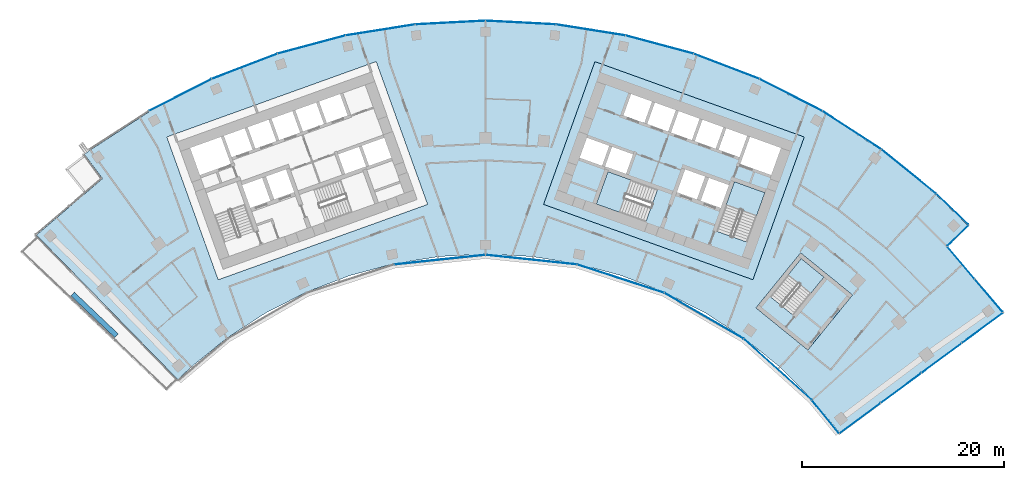
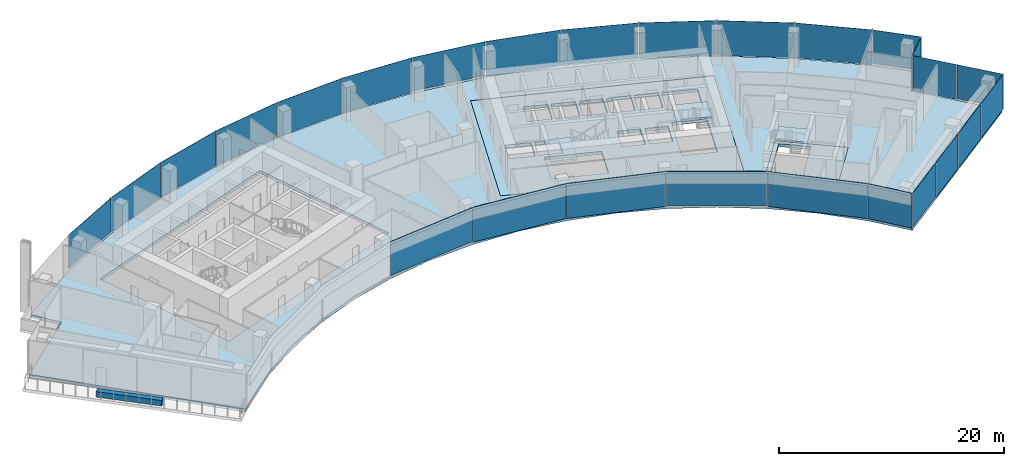
# One storey, part 11 of 20: 26 plates, 6 slabs, 1 wall, 8 elements without a shape of their own.
"""IFC4 building model written with IfcOpenShell, lengths in metres."""

from ifc_helpers import new_model, si_unit, direction, frame, origin, origin_2d, place, context, subcontext, project, spatial, polyline, rectangle, outline, extrude, material, layer, layer_set, type_object, element, aggregate, save


model = new_model("IFC4")

# Units and contexts
model_context = context("Model", 3, precision=1e-05, world=origin(), true_north=direction((0.0, 1.0)))
body_context = subcontext(model_context, "Body", "Model", "MODEL_VIEW")
ifc_project = project(units=[si_unit("LENGTHUNIT", "METRE"), si_unit("AREAUNIT", "SQUARE_METRE"), si_unit("VOLUMEUNIT", "CUBIC_METRE"), si_unit("PLANEANGLEUNIT", "RADIAN"), si_unit("MASSUNIT", "GRAM", prefix="KILO")], contexts=[model_context])

# Site, building, storey
site_placement = place(None, origin())
site = spatial("IfcSite", under=ifc_project, at=site_placement, CompositionType="ELEMENT")
building_placement = place(site_placement, origin())
building = spatial("IfcBuilding", under=site, at=building_placement, Name="Stone Belt Terrace Tower", CompositionType="ELEMENT")
storey_placement = place(building_placement, frame((0.0, 0.0, 216.199951171875)))
storey = spatial("IfcBuildingStorey", under=building, at=storey_placement, Name="L52", CompositionType="ELEMENT", Elevation=216.199951171875)

# Curtain wall, plates
ifc_material_1 = material(Name="Aluminium 6063-T6 anodised frame", Category="aluminium")
ifc_layer_1 = layer(ifc_material_1, 0.14990234375)
ifc_layer_set_1 = layer_set([ifc_layer_1], Name="CW-A unitised convex-face curtain wall")
curtain_wall_type_1 = type_object("IfcCurtainWallType", Name="CW-A unitised convex-face curtain wall", PredefinedType="NOTDEFINED", material=ifc_layer_set_1)
curtain_wall_1_placement = place(storey_placement, origin())
curtain_wall_1 = element("IfcCurtainWall", 1, at=curtain_wall_1_placement, inside=storey, type_object=curtain_wall_type_1, Name="CW-A convex face L52", PredefinedType="NOTDEFINED")
ifc_material_2 = material(Name="Clear double glazed unit")
ifc_layer_2 = layer(ifc_material_2, 0.031982421875)
ifc_layer_set_2 = layer_set([ifc_layer_2], Name="CW-A glass panel 32")
plate_type_1 = type_object("IfcPlateType", Name="CW-A glass panel 32", PredefinedType="CURTAIN_PANEL", material=ifc_layer_set_2)
plate_1_placement = place(storey_placement, frame((46.14599609375, 47.936767578125, 0.14013671875), z_axis=(0.0, 0.0, 1.0), x_axis=(-0.720604393579, 0.693346455933, 0.0)))
plate_1 = element("IfcPlate", 2, at=plate_1_placement, type_object=plate_type_1, Name="CW-A panel 1.1", PredefinedType="CURTAIN_PANEL", context=body_context, shape_type="SweptSolid", body=[
    extrude(rectangle(XDim=4.372314453125, YDim=0.031982421875, at=origin_2d()), origin(), (0.0, 0.0, 1.0), 3.659912109375),
])
plate_2_placement = place(storey_placement, frame((41.839599609375, 51.667724609375, 0.0), z_axis=(0.0, 0.0, 1.0), x_axis=(-0.777145961457, 0.62932039105, 0.0)))
plate_2 = element("IfcPlate", 3, at=plate_2_placement, type_object=plate_type_1, Name="CW-A panel 2.1", PredefinedType="CURTAIN_PANEL", context=body_context, shape_type="SweptSolid", body=[
    extrude(rectangle(XDim=6.90087890625, YDim=0.031982421875, at=origin_2d()), origin(), (0.0, 0.0, 1.0), 3.800048828125),
])
plate_3_placement = place(storey_placement, frame((36.209716796875, 55.758056640625, 0.0), z_axis=(0.0, 0.0, 1.0), x_axis=(-0.838670567945, 0.544639035015, 0.0)))
plate_3 = element("IfcPlate", 4, at=plate_3_placement, type_object=plate_type_1, Name="CW-A panel 3.1", PredefinedType="CURTAIN_PANEL", context=body_context, shape_type="SweptSolid", body=[
    extrude(rectangle(XDim=6.90087890625, YDim=0.031982421875, at=origin_2d()), origin(), (0.0, 0.0, 1.0), 3.800048828125),
])
plate_4_placement = place(storey_placement, frame((30.18310546875, 59.237548828125, 0.0), z_axis=(0.0, 0.0, 1.0), x_axis=(-0.891006524188, 0.45399049974, 0.0)))
plate_4 = element("IfcPlate", 5, at=plate_4_placement, type_object=plate_type_1, Name="CW-A panel 4.1", PredefinedType="CURTAIN_PANEL", context=body_context, shape_type="SweptSolid", body=[
    extrude(rectangle(XDim=6.90087890625, YDim=0.031982421875, at=origin_2d()), origin(), (0.0, 0.0, 1.0), 3.800048828125),
])
plate_5_placement = place(storey_placement, frame((23.82568359375, 62.068115234375, 0.0), z_axis=(0.0, 0.0, 1.0), x_axis=(-0.933580426497, 0.358367949545, 0.0)))
plate_5 = element("IfcPlate", 6, at=plate_5_placement, type_object=plate_type_1, Name="CW-A panel 5.1", PredefinedType="CURTAIN_PANEL", context=body_context, shape_type="SweptSolid", body=[
    extrude(rectangle(XDim=6.90087890625, YDim=0.031982421875, at=origin_2d()), origin(), (0.0, 0.0, 1.0), 3.800048828125),
])
plate_6_placement = place(storey_placement, frame((17.207275390625, 64.218505859375, 0.0), z_axis=(0.0, 0.0, 1.0), x_axis=(-0.965925826289, 0.258819045103, 0.0)))
plate_6 = element("IfcPlate", 7, at=plate_6_placement, type_object=plate_type_1, Name="CW-A panel 6.1", PredefinedType="CURTAIN_PANEL", context=body_context, shape_type="SweptSolid", body=[
    extrude(rectangle(XDim=6.90087890625, YDim=0.031982421875, at=origin_2d()), origin(), (0.0, 0.0, 1.0), 3.800048828125),
])
plate_7_placement = place(storey_placement, frame((10.400390625, 65.665283203125, 0.14013671875), z_axis=(0.0, 0.0, 1.0), x_axis=(-0.987688340595, 0.15643446504, 0.0)))
plate_7 = element("IfcPlate", 8, at=plate_7_placement, type_object=plate_type_1, Name="CW-A panel 7.1", PredefinedType="CURTAIN_PANEL", context=body_context, shape_type="SweptSolid", body=[
    extrude(rectangle(XDim=6.90087890625, YDim=0.031982421875, at=origin_2d()), origin(), (0.0, 0.0, 1.0), 3.659912109375),
])
plate_8_placement = place(storey_placement, frame((3.4794921875, 66.392822265625, 0.0), z_axis=(0.0, 0.0, 1.0), x_axis=(-0.998629534755, 0.052335956243, 0.0)))
plate_8 = element("IfcPlate", 9, at=plate_8_placement, type_object=plate_type_1, Name="CW-A panel 8.1", PredefinedType="CURTAIN_PANEL", context=body_context, shape_type="SweptSolid", body=[
    extrude(rectangle(XDim=6.90087890625, YDim=0.031982421875, at=origin_2d()), origin(), (0.0, 0.0, 1.0), 3.800048828125),
])
plate_9_placement = place(storey_placement, frame((-3.4794921875, 66.392822265625, 0.0), z_axis=(0.0, 0.0, 1.0), x_axis=(-0.998629534755, -0.052335956243, 0.0)))
plate_9 = element("IfcPlate", 10, at=plate_9_placement, type_object=plate_type_1, Name="CW-A panel 9.1", PredefinedType="CURTAIN_PANEL", context=body_context, shape_type="SweptSolid", body=[
    extrude(rectangle(XDim=6.90087890625, YDim=0.031982421875, at=origin_2d()), origin(), (0.0, 0.0, 1.0), 3.800048828125),
])
plate_10_placement = place(storey_placement, frame((-10.400390625, 65.665283203125, 0.0), z_axis=(0.0, 0.0, 1.0), x_axis=(-0.987688340595, -0.15643446504, 0.0)))
plate_10 = element("IfcPlate", 11, at=plate_10_placement, type_object=plate_type_1, Name="CW-A panel 10.1", PredefinedType="CURTAIN_PANEL", context=body_context, shape_type="SweptSolid", body=[
    extrude(rectangle(XDim=6.90087890625, YDim=0.031982421875, at=origin_2d()), origin(), (0.0, 0.0, 1.0), 3.800048828125),
])
plate_11_placement = place(storey_placement, frame((-17.207275390625, 64.218505859375, 0.0), z_axis=(0.0, 0.0, 1.0), x_axis=(-0.965925826289, -0.258819045103, 0.0)))
plate_11 = element("IfcPlate", 12, at=plate_11_placement, type_object=plate_type_1, Name="CW-A panel 11.1", PredefinedType="CURTAIN_PANEL", context=body_context, shape_type="SweptSolid", body=[
    extrude(rectangle(XDim=6.90087890625, YDim=0.031982421875, at=origin_2d()), origin(), (0.0, 0.0, 1.0), 3.800048828125),
])
plate_12_placement = place(storey_placement, frame((-23.82568359375, 62.068115234375, 0.0), z_axis=(0.0, 0.0, 1.0), x_axis=(-0.933580426497, -0.358367949545, 0.0)))
plate_12 = element("IfcPlate", 13, at=plate_12_placement, type_object=plate_type_1, Name="CW-A panel 12.1", PredefinedType="CURTAIN_PANEL", context=body_context, shape_type="SweptSolid", body=[
    extrude(rectangle(XDim=6.90087890625, YDim=0.031982421875, at=origin_2d()), origin(), (0.0, 0.0, 1.0), 3.800048828125),
])
plate_13_placement = place(storey_placement, frame((-30.18310546875, 59.237548828125, 0.14013671875), z_axis=(0.0, 0.0, 1.0), x_axis=(-0.891006524188, -0.45399049974, 0.0)))
plate_13 = element("IfcPlate", 14, at=plate_13_placement, type_object=plate_type_1, Name="CW-A panel 13.1", PredefinedType="CURTAIN_PANEL", context=body_context, shape_type="SweptSolid", body=[
    extrude(rectangle(XDim=6.90087890625, YDim=0.031982421875, at=origin_2d()), origin(), (0.0, 0.0, 1.0), 3.659912109375),
])
aggregate(curtain_wall_1, [plate_1, plate_2, plate_3, plate_4, plate_5, plate_6, plate_7, plate_8, plate_9, plate_10, plate_11, plate_12, plate_13])

ifc_layer_3 = layer(ifc_material_1, 0.14990234375)
ifc_layer_set_3 = layer_set([ifc_layer_3], Name="CW-B unitised concave-face curtain wall")
curtain_wall_type_2 = type_object("IfcCurtainWallType", Name="CW-B unitised concave-face curtain wall", PredefinedType="NOTDEFINED", material=ifc_layer_set_3)
curtain_wall_2_placement = place(storey_placement, origin())
curtain_wall_2 = element("IfcCurtainWall", 15, at=curtain_wall_2_placement, inside=storey, type_object=curtain_wall_type_2, Name="CW-B concave face L52", PredefinedType="NOTDEFINED")
ifc_layer_4 = layer(ifc_material_2, 0.030029296875)
ifc_layer_set_4 = layer_set([ifc_layer_4], Name="CW-B glass panel 30")
plate_type_2 = type_object("IfcPlateType", Name="CW-B glass panel 30", PredefinedType="CURTAIN_PANEL", material=ifc_layer_set_4)
plate_14_placement = place(storey_placement, frame((-4.51416015625, 42.9501953125, 0.1201171875), z_axis=(0.0, 0.0, 1.0), x_axis=(0.994521895368, 0.104528463268, 0.0)))
plate_14 = element("IfcPlate", 16, at=plate_14_placement, type_object=plate_type_2, Name="CW-B panel 4.1", PredefinedType="CURTAIN_PANEL", context=body_context, shape_type="SweptSolid", body=[
    extrude(rectangle(XDim=9.0126953125, YDim=0.030029296875, at=origin_2d()), origin(), (0.0, 0.0, 1.0), 3.679931640625),
])
plate_15_placement = place(storey_placement, frame((4.51416015625, 42.9501953125, 0.0), z_axis=(0.0, 0.0, 1.0), x_axis=(0.994521895368, -0.104528463268, 0.0)))
plate_15 = element("IfcPlate", 17, at=plate_15_placement, type_object=plate_type_2, Name="CW-B panel 5.1", PredefinedType="CURTAIN_PANEL", context=body_context, shape_type="SweptSolid", body=[
    extrude(rectangle(XDim=9.0126953125, YDim=0.030029296875, at=origin_2d()), origin(), (0.0, 0.0, 1.0), 3.800048828125),
])
plate_16_placement = place(storey_placement, frame((13.345458984375, 41.072998046875, 0.0), z_axis=(0.0, 0.0, 1.0), x_axis=(0.951056516295, -0.309016994375, 0.0)))
plate_16 = element("IfcPlate", 18, at=plate_16_placement, type_object=plate_type_2, Name="CW-B panel 6.1", PredefinedType="CURTAIN_PANEL", context=body_context, shape_type="SweptSolid", body=[
    extrude(rectangle(XDim=9.0126953125, YDim=0.030029296875, at=origin_2d()), origin(), (0.0, 0.0, 1.0), 3.800048828125),
])
plate_17_placement = place(storey_placement, frame((21.59326171875, 37.40087890625, 0.1201171875), z_axis=(0.0, 0.0, 1.0), x_axis=(0.866025403784, -0.5, 0.0)))
plate_17 = element("IfcPlate", 19, at=plate_17_placement, type_object=plate_type_2, Name="CW-B panel 7.1", PredefinedType="CURTAIN_PANEL", context=body_context, shape_type="SweptSolid", body=[
    extrude(rectangle(XDim=9.0126953125, YDim=0.030029296875, at=origin_2d()), origin(), (0.0, 0.0, 1.0), 3.679931640625),
])
plate_18_placement = place(storey_placement, frame((28.899169921875, 32.092529296875, 0.0), z_axis=(0.0, 0.0, 1.0), x_axis=(0.743144825477, -0.669130606359, 0.0)))
plate_18 = element("IfcPlate", 20, at=plate_18_placement, type_object=plate_type_2, Name="CW-B panel 8.1", PredefinedType="CURTAIN_PANEL", context=body_context, shape_type="SweptSolid", body=[
    extrude(rectangle(XDim=9.01708984375, YDim=0.030029296875, at=origin_2d()), origin(), (0.0, 0.0, 1.0), 3.800048828125),
])
plate_19_placement = place(storey_placement, frame((33.611572265625, 27.4150390625, 0.0), z_axis=(0.0, 0.0, 1.0), x_axis=(0.632397726807, -0.774643863417, 0.0)))
plate_19 = element("IfcPlate", 21, at=plate_19_placement, type_object=plate_type_2, Name="CW-B panel 9.1", PredefinedType="CURTAIN_PANEL", context=body_context, shape_type="SweptSolid", body=[
    extrude(rectangle(XDim=4.173828125, YDim=0.030029296875, at=origin_2d()), origin(), (0.0, 0.0, 1.0), 3.800048828125),
])
aggregate(curtain_wall_2, [plate_14, plate_15, plate_16, plate_17, plate_18, plate_19])

ifc_layer_5 = layer(ifc_material_1, 0.14990234375)
ifc_layer_set_5 = layer_set([ifc_layer_5], Name="CW-C stick curtain wall, horn ends and notches")
curtain_wall_type_3 = type_object("IfcCurtainWallType", Name="CW-C stick curtain wall, horn ends and notches", PredefinedType="NOTDEFINED", material=ifc_layer_set_5)
curtain_wall_3_placement = place(storey_placement, origin())
curtain_wall_3 = element("IfcCurtainWall", 22, at=curtain_wall_3_placement, inside=storey, type_object=curtain_wall_type_3, Name="CW-C end face L52", PredefinedType="NOTDEFINED")
ifc_layer_6 = layer(ifc_material_2, 0.028076171875)
ifc_layer_set_6 = layer_set([ifc_layer_6], Name="CW-C glass panel 28")
plate_type_3 = type_object("IfcPlateType", Name="CW-C glass panel 28", PredefinedType="CURTAIN_PANEL", material=ifc_layer_set_6)
plate_20_placement = place(storey_placement, frame((37.032470703125, 27.263916015625, 0.1201171875), z_axis=(0.0, 0.0, 1.0), x_axis=(0.804329077539, 0.594184091865, 0.0)))
plate_20 = element("IfcPlate", 23, at=plate_20_placement, type_object=plate_type_3, Name="CW-C panel 1.1", PredefinedType="CURTAIN_PANEL", context=body_context, shape_type="SweptSolid", body=[
    extrude(rectangle(XDim=4.968017578125, YDim=0.028076171875, at=origin_2d()), origin(), (0.0, 0.0, 1.0), 3.679931640625),
])
plate_21_placement = place(storey_placement, frame((41.0654296875, 30.2431640625, 0.0), z_axis=(0.0, 0.0, 1.0), x_axis=(0.804329077539, 0.594184091865, 0.0)))
plate_21 = element("IfcPlate", 24, at=plate_21_placement, type_object=plate_type_3, Name="CW-C panel 2.1", PredefinedType="CURTAIN_PANEL", context=body_context, shape_type="SweptSolid", body=[
    extrude(rectangle(XDim=4.93994140625, YDim=0.028076171875, at=origin_2d()), origin(), (0.0, 0.0, 1.0), 3.800048828125),
])
plate_22_placement = place(storey_placement, frame((45.0869140625, 33.2138671875, 0.0), z_axis=(0.0, 0.0, 1.0), x_axis=(0.804329077539, 0.594184091865, 0.0)))
plate_22 = element("IfcPlate", 25, at=plate_22_placement, type_object=plate_type_3, Name="CW-C panel 3.1", PredefinedType="CURTAIN_PANEL", context=body_context, shape_type="SweptSolid", body=[
    extrude(rectangle(XDim=4.93994140625, YDim=0.028076171875, at=origin_2d()), origin(), (0.0, 0.0, 1.0), 3.800048828125),
])
plate_23_placement = place(storey_placement, frame((49.122802734375, 36.1953125, 0.0), z_axis=(0.0, 0.0, 1.0), x_axis=(0.804329077539, 0.594184091865, 0.0)))
plate_23 = element("IfcPlate", 26, at=plate_23_placement, type_object=plate_type_3, Name="CW-C panel 4.1", PredefinedType="CURTAIN_PANEL", context=body_context, shape_type="SweptSolid", body=[
    extrude(rectangle(XDim=4.974853515625, YDim=0.028076171875, at=origin_2d()), origin(), (0.0, 0.0, 1.0), 3.800048828125),
])
aggregate(curtain_wall_3, [plate_20, plate_21, plate_22, plate_23])

curtain_wall_4_placement = place(storey_placement, origin())
curtain_wall_4 = element("IfcCurtainWall", 27, at=curtain_wall_4_placement, inside=storey, type_object=curtain_wall_type_3, Name="CW-C notch face L52", PredefinedType="NOTDEFINED")
plate_24_placement = place(storey_placement, frame((49.75390625, 39.402587890625, 0.1201171875), z_axis=(0.0, 0.0, 1.0), x_axis=(-0.647210945735, 0.762310954743, 0.0)))
plate_24 = element("IfcPlate", 28, at=plate_24_placement, type_object=plate_type_3, Name="CW-C panel 1.1", PredefinedType="CURTAIN_PANEL", context=body_context, shape_type="SweptSolid", body=[
    extrude(rectangle(XDim=4.268798828125, YDim=0.028076171875, at=origin_2d()), origin(), (0.0, 0.0, 1.0), 3.679931640625),
])
plate_25_placement = place(storey_placement, frame((47.000244140625, 42.645751953125, 0.0), z_axis=(0.0, 0.0, 1.0), x_axis=(-0.647210945735, 0.762310954743, 0.0)))
plate_25 = element("IfcPlate", 29, at=plate_25_placement, type_object=plate_type_3, Name="CW-C panel 2.1", PredefinedType="CURTAIN_PANEL", context=body_context, shape_type="SweptSolid", body=[
    extrude(rectangle(XDim=4.12060546875, YDim=0.028076171875, at=origin_2d()), origin(), (0.0, 0.0, 1.0), 3.800048828125),
])
aggregate(curtain_wall_4, [plate_24, plate_25])

# Curtain wall, plate
curtain_wall_5_placement = place(storey_placement, origin())
curtain_wall_5 = element("IfcCurtainWall", 30, at=curtain_wall_5_placement, inside=storey, type_object=curtain_wall_type_3, Name="CW-C notch face L52", PredefinedType="NOTDEFINED")
plate_26_placement = place(storey_placement, frame((46.69677734375, 45.320068359375, 0.1201171875), z_axis=(0.0, 0.0, 1.0), x_axis=(0.71680345276, 0.697275275707, 0.0)))
plate_26 = element("IfcPlate", 31, at=plate_26_placement, type_object=plate_type_3, Name="CW-C panel 1.1", PredefinedType="CURTAIN_PANEL", context=body_context, shape_type="SweptSolid", body=[
    extrude(rectangle(XDim=2.859619140625, YDim=0.028076171875, at=origin_2d()), origin(), (0.0, 0.0, 1.0), 3.679931640625),
])
aggregate(curtain_wall_5, [plate_26])

# Slabs
ifc_material_3 = material(Name="Concrete B40", Category="concrete")
ifc_layer_7 = layer(ifc_material_3, 0.320068359375)
ifc_layer_set_7 = layer_set([ifc_layer_7], Name="Core floor slab 320")
slab_type_1 = type_object("IfcSlabType", Name="Core floor slab 320", PredefinedType="FLOOR", material=ifc_layer_set_7)
slab_1_placement = place(storey_placement, frame((0.0, 0.0, -0.320068359375)))
element("IfcSlab", 32, at=slab_1_placement, inside=storey, type_object=slab_type_1, Name="Core B floor L52", PredefinedType="FLOOR", context=body_context, shape_type="SweptSolid", body=[
    extrude(outline(polyline([(26.43505859375, 40.968994140625), (31.513916015625, 55.0830078125), (10.81396484375, 62.531982421875), (5.735107421875, 48.4189453125), (26.43505859375, 40.968994140625)]), holes=[polyline([(12.10595703125, 51.652099609375), (16.998046875, 49.89208984375), (15.846923828125, 46.69189453125), (10.955078125, 48.452880859375), (12.10595703125, 51.652099609375)]), polyline([(12.511962890625, 54.110107421875), (14.58203125, 53.364990234375), (13.887939453125, 51.43603515625), (11.864990234375, 52.1640625), (11.847900390625, 52.116943359375), (11.801025390625, 52.134033203125), (12.511962890625, 54.110107421875)]), polyline([(9.30810546875, 53.031005859375), (10.01904296875, 55.007080078125), (12.22998046875, 54.2109375), (11.51904296875, 52.235107421875), (9.30810546875, 53.031005859375)]), polyline([(18.333984375, 55.52197265625), (19.095947265625, 57.638916015625), (21.166015625, 56.89404296875), (20.404052734375, 54.777099609375), (18.333984375, 55.52197265625)]), polyline([(16.743896484375, 58.485107421875), (18.81396484375, 57.739990234375), (18.052001953125, 55.623046875), (15.98193359375, 56.367919921875), (16.743896484375, 58.485107421875)]), polyline([(14.39111328125, 59.33203125), (16.4609375, 58.5869140625), (15.699951171875, 56.469970703125), (13.6298828125, 57.215087890625), (14.39111328125, 59.33203125)]), polyline([(27.618896484375, 49.575927734375), (25.85888671875, 44.68408203125), (22.847900390625, 45.76806640625), (24.60791015625, 50.659912109375), (27.618896484375, 49.575927734375)]), polyline([(23.25, 48.06689453125), (21.27392578125, 48.778076171875), (22.0869140625, 51.035888671875), (24.06298828125, 50.324951171875), (23.25, 48.06689453125)]), polyline([(20.89794921875, 48.9130859375), (18.922119140625, 49.6240234375), (19.735107421875, 51.883056640625), (21.7109375, 51.1708984375), (20.89794921875, 48.9130859375)]), polyline([(26.153076171875, 55.09912109375), (29.2109375, 53.9990234375), (28.24609375, 51.31689453125), (25.18798828125, 52.41796875), (26.153076171875, 55.09912109375)]), polyline([(23.801025390625, 55.946044921875), (25.87109375, 55.200927734375), (25.10888671875, 53.083984375), (23.0390625, 53.8291015625), (23.801025390625, 55.946044921875)]), polyline([(21.447998046875, 56.7919921875), (23.51806640625, 56.047119140625), (22.756103515625, 53.929931640625), (20.68603515625, 54.675048828125), (21.447998046875, 56.7919921875)])]), origin(), (0.0, 0.0, 1.0), 0.320068359375),
])
slab_2_placement = place(storey_placement, frame((0.0, 0.0, -0.320068359375)))
element("IfcSlab", 33, at=slab_2_placement, inside=storey, type_object=slab_type_1, Name="Exit stair ST3B floor L52", PredefinedType="FLOOR", context=body_context, shape_type="SweptSolid", body=[
    extrude(outline(polyline([(26.741943359375, 38.18408203125), (31.866943359375, 34.02392578125), (36.278076171875, 39.458984375), (31.154052734375, 43.618896484375), (26.741943359375, 38.18408203125)]), holes=[polyline([(30.407958984375, 37.462890625), (28.156005859375, 39.291015625), (31.2119140625, 43.055908203125), (33.464111328125, 41.22802734375), (30.407958984375, 37.462890625)])]), origin(), (0.0, 0.0, 1.0), 0.320068359375),
])
ifc_layer_8 = layer(ifc_material_3, 0.320068359375)
ifc_layer_set_8 = layer_set([ifc_layer_8], Name="Floor slab 320 B40")
slab_type_2 = type_object("IfcSlabType", Name="Floor slab 320 B40", PredefinedType="FLOOR", material=ifc_layer_set_8)
slab_3_placement = place(storey_placement, frame((0.0, 0.0, -0.320068359375)))
element("IfcSlab", 34, at=slab_3_placement, inside=storey, type_object=slab_type_2, Name="Floor slab L52", PredefinedType="FLOOR", context=body_context, shape_type="SweptSolid", body=[
    extrude(outline(polyline([(-39.671142578125, 53.370849609375), (-39.087646484375, 53.799560546875), (-33.25, 57.5908203125), (-27.048095703125, 60.750732421875), (-20.549560546875, 63.245361328125), (-13.826171875, 65.046875), (-6.951171875, 66.1357421875), (0.0, 66.5), (6.951171875, 66.1357421875), (13.826171875, 65.046875), (20.549560546875, 63.245361328125), (27.048095703125, 60.750732421875), (33.25, 57.5908203125), (39.087646484375, 53.799560546875), (44.497314453125, 49.419189453125), (47.66748046875, 46.368896484375), (45.51708984375, 44.277099609375), (51.074951171875, 37.730712890625), (34.98828125, 25.846923828125), (32.326904296875, 29.107177734375), (29.107177734375, 32.326904296875), (25.568603515625, 35.192138671875), (21.75, 37.672119140625), (17.693115234375, 39.7392578125), (13.442138671875, 41.37109375), (9.044189453125, 42.54931640625), (4.547119140625, 43.26171875), (0.0, 43.5), (-4.547119140625, 43.26171875), (-9.044189453125, 42.54931640625), (-13.442138671875, 41.37109375), (-17.693115234375, 39.7392578125), (-21.75, 37.672119140625), (-25.568603515625, 35.192138671875), (-29.107177734375, 32.326904296875), (-30.423583984375, 31.091064453125), (-44.411376953125, 45.385986328125), (-37.881591796875, 50.963134765625), (-39.671142578125, 53.370849609375)]), holes=[polyline([(-31.51416015625, 55.082763671875), (-26.434814453125, 40.968994140625), (-5.734619140625, 48.418701171875), (-10.81396484375, 62.532470703125), (-31.51416015625, 55.082763671875)]), polyline([(31.51416015625, 55.082763671875), (10.81396484375, 62.532470703125), (5.734619140625, 48.418701171875), (26.434814453125, 40.968994140625), (31.51416015625, 55.082763671875)]), polyline([(36.2783203125, 39.459228515625), (31.15380859375, 43.61865234375), (26.742431640625, 38.18359375), (31.86669921875, 34.024169921875), (36.2783203125, 39.459228515625)])]), origin(), (0.0, 0.0, 1.0), 0.320068359375),
])

# Stair, slab
stair_type = type_object("IfcStairType", Name="Exit stair 1500", PredefinedType="HALF_TURN_STAIR", material=ifc_material_3)
stair_1_placement = place(storey_placement, origin())
stair_1 = element("IfcStair", 35, at=stair_1_placement, inside=storey, type_object=stair_type, Name="L52 Exit stair 1 core B", PredefinedType="HALF_TURN_STAIR")
ifc_layer_9 = layer(ifc_material_3, 0.199951171875)
ifc_layer_set_9 = layer_set([ifc_layer_9], Name="Stair landing 200")
slab_type_3 = type_object("IfcSlabType", Name="Stair landing 200", PredefinedType="LANDING", material=ifc_layer_set_9)
slab_4_placement = place(storey_placement, frame((0.0, 0.0, 1.699951171875)))
slab_4 = element("IfcSlab", 36, at=slab_4_placement, type_object=slab_type_3, Name="ST1B landing 1", PredefinedType="LANDING", context=body_context, shape_type="SweptSolid", body=[
    extrude(outline(polyline([(26.806396484375, 47.3173828125), (27.619384765625, 49.576171875), (24.6083984375, 50.659912109375), (23.79541015625, 48.40087890625), (26.806396484375, 47.3173828125)])), origin(), (0.0, 0.0, 1.0), 0.2001953125),
])
aggregate(stair_1, [slab_4])

stair_2_placement = place(storey_placement, origin())
stair_2 = element("IfcStair", 37, at=stair_2_placement, inside=storey, type_object=stair_type, Name="L52 Exit stair 2 core B", PredefinedType="HALF_TURN_STAIR")
slab_5_placement = place(storey_placement, frame((0.0, 0.0, 1.699951171875)))
slab_5 = element("IfcSlab", 38, at=slab_5_placement, type_object=slab_type_3, Name="ST2B landing 1", PredefinedType="LANDING", context=body_context, shape_type="SweptSolid", body=[
    extrude(outline(polyline([(14.36474609375, 50.839111328125), (12.10595703125, 51.652099609375), (10.95458984375, 48.453125), (13.213623046875, 47.64013671875), (14.36474609375, 50.839111328125)])), origin(), (0.0, 0.0, 1.0), 0.2001953125),
])
aggregate(stair_2, [slab_5])

stair_3_placement = place(storey_placement, origin())
stair_3 = element("IfcStair", 39, at=stair_3_placement, inside=storey, type_object=stair_type, Name="L52 Exit stair 3B", PredefinedType="HALF_TURN_STAIR")
slab_6_placement = place(storey_placement, frame((0.0, 0.0, 1.699951171875)))
slab_6 = element("IfcSlab", 40, at=slab_6_placement, type_object=slab_type_3, Name="ST3B landing 1", PredefinedType="LANDING", context=body_context, shape_type="SweptSolid", body=[
    extrude(outline(polyline([(32.17138671875, 39.635986328125), (33.4638671875, 41.228271484375), (31.21240234375, 43.055908203125), (29.919921875, 41.463623046875), (32.17138671875, 39.635986328125)])), origin(), (0.0, 0.0, 1.0), 0.2001953125),
])
aggregate(stair_3, [slab_6])

# Wall
ifc_material_4 = material(Name="Precast concrete C40/50", Category="concrete")
ifc_layer_10 = layer(ifc_material_4, 0.5)
ifc_layer_set_10 = layer_set([ifc_layer_10], Name="Planter box 500 x 600")
wall_type = type_object("IfcWallType", Name="Planter box 500 x 600", PredefinedType="SOLIDWALL", material=ifc_layer_set_10)
wall_placement = place(storey_placement, frame((-38.657958984375, 37.492919921875, 0.0), z_axis=(0.0, 0.0, 1.0), x_axis=(0.72491369175, -0.688839705238, 0.0)))
element("IfcWall", 41, at=wall_placement, inside=storey, type_object=wall_type, Name="PLANTER L52 1", PredefinedType="SOLIDWALL", context=body_context, shape_type="SweptSolid", body=[
    extrude(rectangle(XDim=6.0, YDim=0.5, at=origin_2d()), origin(), (0.0, 0.0, 1.0), 0.60009765625),
])

save(model, "model.ifc")
